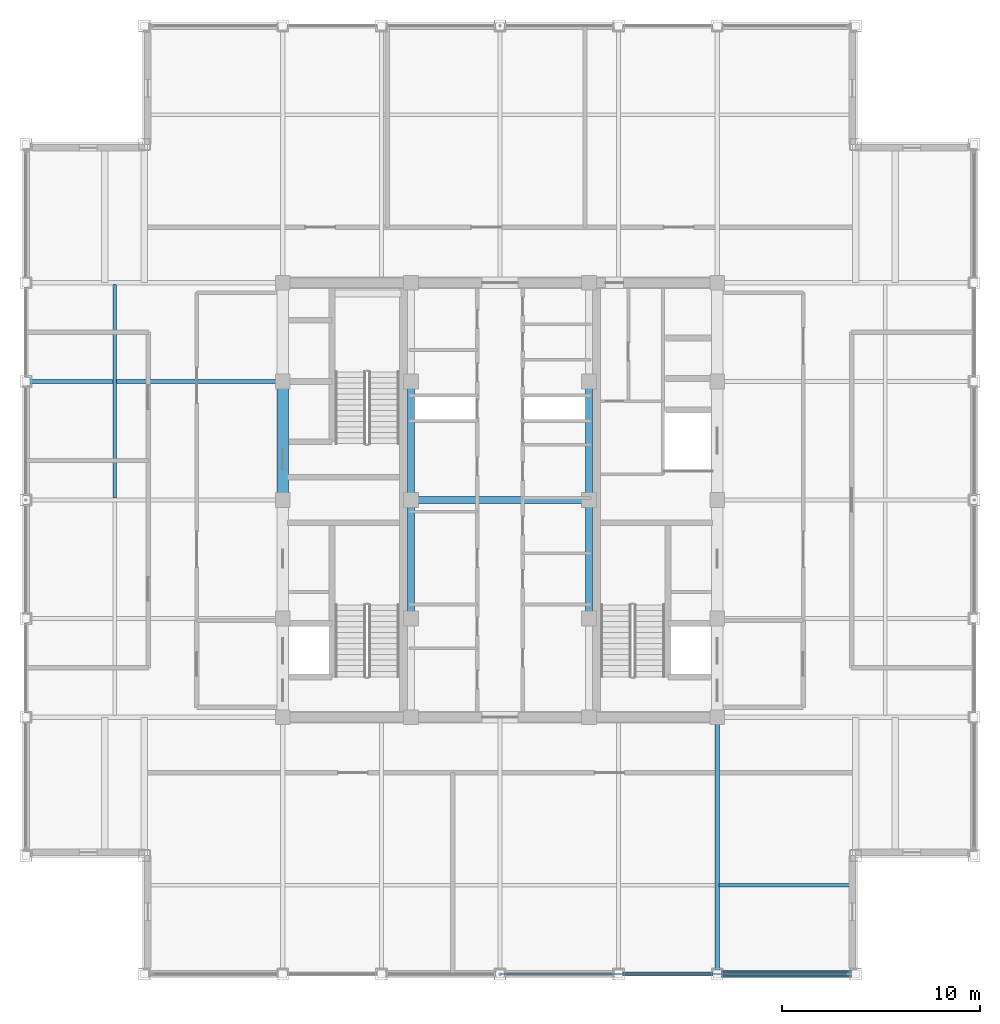
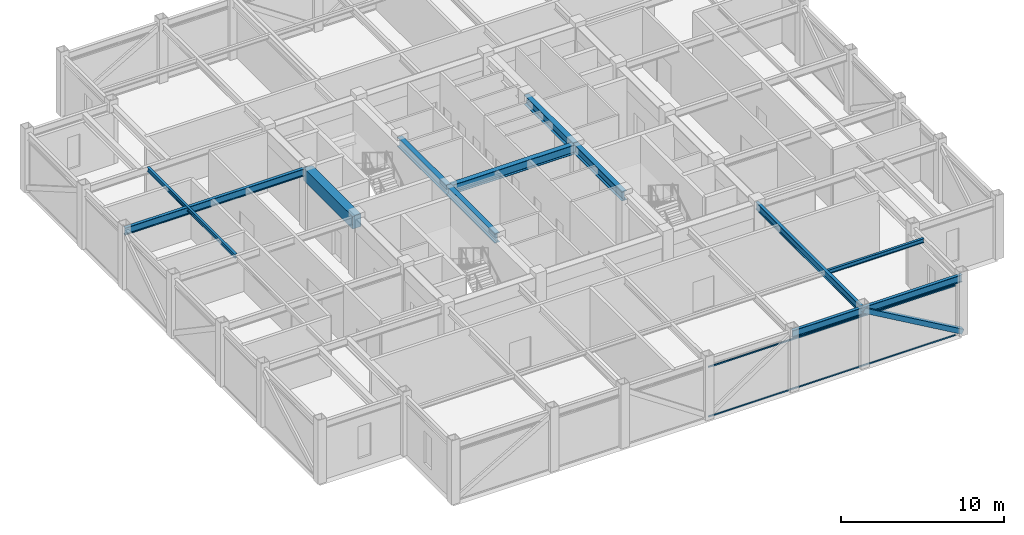
# One storey, part 7 of 27: 12 beams, 3 members, 1 element without a shape of its own.
"""IFC4 building model written with IfcOpenShell, lengths in metres."""

from ifc_helpers import new_model, si_unit, direction, frame, origin, origin_2d, place, context, subcontext, project, spatial, rectangle, hollow_rectangle, i_section, extrude, source, transform, mapped, material, material_profile, profile_set, type_object, element, aggregate, save


model = new_model("IFC4")

# Units and contexts
model_context = context("Model", 3, precision=1e-05, world=origin(), true_north=direction((0.0, 1.0)))
body_context = subcontext(model_context, "Body", "Model", "MODEL_VIEW")
ifc_project = project(units=[si_unit("LENGTHUNIT", "METRE"), si_unit("AREAUNIT", "SQUARE_METRE"), si_unit("VOLUMEUNIT", "CUBIC_METRE"), si_unit("PLANEANGLEUNIT", "RADIAN"), si_unit("MASSUNIT", "GRAM", prefix="KILO")], contexts=[model_context])

# Site, building, storey
site_placement = place(None, origin())
site = spatial("IfcSite", under=ifc_project, at=site_placement, CompositionType="ELEMENT")
building_placement = place(site_placement, origin())
building = spatial("IfcBuilding", under=site, at=building_placement, Name="Khorayat Bourse Tower", CompositionType="ELEMENT")
storey_placement = place(building_placement, frame((0.0, 0.0, 385.10009765625)))
storey = spatial("IfcBuildingStorey", under=building, at=storey_placement, Name="L91", CompositionType="ELEMENT", Elevation=385.10009765625)

# Beams
ifc_material_1 = material(Name="Steel ASTM A992 Grade 50", Category="steel")
ifc_material_profile_1 = material_profile(ifc_material_1, i_section(OverallWidth=0.35498046875, OverallDepth=0.695068359375, WebThickness=0.015380859375, FlangeThickness=0.02490234375, FilletRadius=0.01806640625, at=origin_2d()), Name="W690X217")
ifc_profile_set_1 = profile_set([ifc_material_profile_1], Name="Steel ASTM A992 Grade 50")
beam_type_1 = type_object("IfcBeamType", Name="BM-GIRD-690", PredefinedType="BEAM", material=ifc_profile_set_1)
shared_shape_1 = source(origin(), body_context, "Body", "SweptSolid", [
    extrude(i_section(OverallWidth=0.35498046875, OverallDepth=0.695068359375, WebThickness=0.015380859375, FlangeThickness=0.02490234375, FilletRadius=0.01806640625, at=origin_2d()), origin(), (0.0, 0.0, 1.0), 6.0),
])
for number, where, z_axis, x_axis, name in (
    (1, (-4.5, -6.0, 4.102294921875), (0.0, 1.0, 0.0), (-1.0, 0.0, 0.0), "L91 BM-GIRD-690 BM-L91-CRX-06"),
    (2, (-4.5, 0.0, 4.102294921875), (0.0, 1.0, 0.0), (-1.0, 0.0, 0.0), "L91 BM-GIRD-690 BM-L91-CRX-07"),
    (3, (4.5, -6.0, 4.102294921875), (0.0, 1.0, 0.0), (-1.0, 0.0, 0.0), "L91 BM-GIRD-690 BM-L91-CRX-10"),
    (4, (4.5, 0.0, 4.102294921875), (0.0, 1.0, 0.0), (-1.0, 0.0, 0.0), "L91 BM-GIRD-690 BM-L91-CRX-11"),
):
    element("IfcBeam", number, at=place(storey_placement, frame(where, z_axis=z_axis, x_axis=x_axis)), inside=storey, type_object=beam_type_1, Name=name, PredefinedType="BEAM", context=body_context, shape_type="MappedRepresentation", body=[
        mapped(shared_shape_1, transform((0.0, 0.0, 0.0), scale=1.0)),
    ])
shared_shape_2 = source(origin(), body_context, "Body", "SweptSolid", [
    extrude(i_section(OverallWidth=0.35498046875, OverallDepth=0.695068359375, WebThickness=0.015380859375, FlangeThickness=0.02490234375, FilletRadius=0.01806640625, at=origin_2d()), origin(), (0.0, 0.0, 1.0), 9.0),
])
beam_1_placement = place(storey_placement, frame((-4.5, 0.0, 4.102294921875), z_axis=(1.0, 0.0, 0.0), x_axis=(0.0, 1.0, 0.0)))
element("IfcBeam", 5, at=beam_1_placement, inside=storey, type_object=beam_type_1, Name="L91 BM-GIRD-690 BM-L91-CRY-23", PredefinedType="BEAM", context=body_context, shape_type="MappedRepresentation", body=[
    mapped(shared_shape_2, transform((0.0, 0.0, 0.0), scale=1.0)),
])
ifc_material_2 = material(Name="Concrete C60/75", Category="concrete")
ifc_material_profile_2 = material_profile(ifc_material_2, rectangle(XDim=0.60009765625, YDim=0.949951171875, at=origin_2d()), Name="RC 600x950")
ifc_profile_set_2 = profile_set([ifc_material_profile_2], Name="Concrete C60/75")
beam_type_2 = type_object("IfcBeamType", Name="BM-COUP-950", PredefinedType="BEAM", material=ifc_profile_set_2)
shared_shape_3 = source(origin(), body_context, "Body", "SweptSolid", [
    extrude(rectangle(XDim=0.60009765625, YDim=0.949951171875, at=origin_2d()), origin(), (0.0, 0.0, 1.0), 6.0),
])
beam_2_placement = place(storey_placement, frame((-11.0, 0.0, 3.974853515625), z_axis=(0.0, 1.0, 0.0), x_axis=(-1.0, 0.0, 0.0)))
element("IfcBeam", 6, at=beam_2_placement, inside=storey, type_object=beam_type_2, Name="L91 BM-COUP-950 BM-L91-CRX-03", PredefinedType="BEAM", context=body_context, shape_type="MappedRepresentation", body=[
    mapped(shared_shape_3, transform((0.0, 0.0, 0.0), scale=1.0)),
])
ifc_material_profile_3 = material_profile(ifc_material_1, i_section(OverallWidth=0.214111328125, OverallDepth=0.549072265625, WebThickness=0.0146484375, FlangeThickness=0.023681640625, FilletRadius=0.013916015625, at=origin_2d()), Name="W530X138")
ifc_profile_set_3 = profile_set([ifc_material_profile_3], Name="Steel ASTM A992 Grade 50")
beam_type_3 = type_object("IfcBeamType", Name="BM-SPAN-530", PredefinedType="SPANDREL", material=ifc_profile_set_3)
shared_shape_4 = source(origin(), body_context, "Body", "SweptSolid", [
    extrude(i_section(OverallWidth=0.214111328125, OverallDepth=0.549072265625, WebThickness=0.0146484375, FlangeThickness=0.023681640625, FilletRadius=0.013916015625, at=origin_2d()), origin(), (0.0, 0.0, 1.0), 5.0),
])
beam_3_placement = place(storey_placement, frame((6.0, -24.0, 4.17529296875), z_axis=(1.0, 0.0, 0.0), x_axis=(0.0, 1.0, 0.0)))
element("IfcBeam", 7, at=beam_3_placement, inside=storey, type_object=beam_type_3, Name="L91 BM-SPAN-530 BM-L91-SPN-028", PredefinedType="SPANDREL", context=body_context, shape_type="MappedRepresentation", body=[
    mapped(shared_shape_4, transform((0.0, 0.0, 0.0), scale=1.0)),
])
shared_shape_5 = source(origin(), body_context, "Body", "SweptSolid", [
    extrude(i_section(OverallWidth=0.214111328125, OverallDepth=0.549072265625, WebThickness=0.0146484375, FlangeThickness=0.023681640625, FilletRadius=0.013916015625, at=origin_2d()), origin(), (0.0, 0.0, 1.0), 7.0),
])
beam_4_placement = place(storey_placement, frame((11.0, -24.0, 4.17529296875), z_axis=(1.0, 0.0, 0.0), x_axis=(0.0, 1.0, 0.0)))
element("IfcBeam", 8, at=beam_4_placement, inside=storey, type_object=beam_type_3, Name="L91 BM-SPAN-530 BM-L91-SPN-029", PredefinedType="SPANDREL", context=body_context, shape_type="MappedRepresentation", body=[
    mapped(shared_shape_5, transform((0.0, 0.0, 0.0), scale=1.0)),
])
ifc_material_profile_4 = material_profile(ifc_material_1, i_section(OverallWidth=0.214111328125, OverallDepth=0.549072265625, WebThickness=0.0146484375, FlangeThickness=0.023681640625, FilletRadius=0.013916015625, at=origin_2d()), Name="W530X138")
ifc_profile_set_4 = profile_set([ifc_material_profile_4], Name="Steel ASTM A992 Grade 50")
beam_type_4 = type_object("IfcBeamType", Name="BM-GIRD-530", PredefinedType="BEAM", material=ifc_profile_set_4)
shared_shape_6 = source(origin(), body_context, "Body", "SweptSolid", [
    extrude(i_section(OverallWidth=0.214111328125, OverallDepth=0.549072265625, WebThickness=0.0146484375, FlangeThickness=0.023681640625, FilletRadius=0.013916015625, at=origin_2d()), origin(), (0.0, 0.0, 1.0), 13.0),
])
for number, where, z_axis, x_axis, name in (
    (9, (11.0, -24.0, 4.17529296875), (0.0, 1.0, 0.0), (-1.0, 0.0, 0.0), "L91 BM-GIRD-530 BM-L91-RADY-065"),
    (10, (-24.0, 6.0, 4.17529296875), (1.0, 0.0, 0.0), (0.0, 1.0, 0.0), "L91 BM-GIRD-530 BM-L91-RADX-073"),
):
    element("IfcBeam", number, at=place(storey_placement, frame(where, z_axis=z_axis, x_axis=x_axis)), inside=storey, type_object=beam_type_4, Name=name, PredefinedType="BEAM", context=body_context, shape_type="MappedRepresentation", body=[
        mapped(shared_shape_6, transform((0.0, 0.0, 0.0), scale=1.0)),
    ])
ifc_material_profile_5 = material_profile(ifc_material_1, i_section(OverallWidth=0.1669921875, OverallDepth=0.31689453125, WebThickness=0.007568359375, FlangeThickness=0.01318359375, FilletRadius=0.010009765625, at=origin_2d()), Name="W310X52")
ifc_profile_set_5 = profile_set([ifc_material_profile_5], Name="Steel ASTM A992 Grade 50")
beam_type_5 = type_object("IfcBeamType", Name="BM-JOIST-310", PredefinedType="JOIST", material=ifc_profile_set_5)
shared_shape_7 = source(origin(), body_context, "Body", "SweptSolid", [
    extrude(i_section(OverallWidth=0.1669921875, OverallDepth=0.31689453125, WebThickness=0.007568359375, FlangeThickness=0.01318359375, FilletRadius=0.010009765625, at=origin_2d()), origin(), (0.0, 0.0, 1.0), 6.81005859375),
])
beam_5_placement = place(storey_placement, frame((11.094970703125, -19.5, 4.29150390625), z_axis=(1.0, 0.0, 0.0), x_axis=(0.0, 1.0, 0.0)))
element("IfcBeam", 11, at=beam_5_placement, inside=storey, type_object=beam_type_5, Name="L91 BM-JOIST-310 BM-L91-JSTX-086", PredefinedType="JOIST", context=body_context, shape_type="MappedRepresentation", body=[
    mapped(shared_shape_7, transform((0.0, 0.0, 0.0), scale=1.0)),
])
shared_shape_8 = source(origin(), body_context, "Body", "SweptSolid", [
    extrude(i_section(OverallWidth=0.1669921875, OverallDepth=0.31689453125, WebThickness=0.007568359375, FlangeThickness=0.01318359375, FilletRadius=0.010009765625, at=origin_2d()), origin(), (0.0, 0.0, 1.0), 10.81005859375),
])
beam_6_placement = place(storey_placement, frame((-19.5, 0.094970703125, 4.29150390625), z_axis=(0.0, 1.0, 0.0), x_axis=(-1.0, 0.0, 0.0)))
element("IfcBeam", 12, at=beam_6_placement, inside=storey, type_object=beam_type_5, Name="L91 BM-JOIST-310 BM-L91-JSTY-091", PredefinedType="JOIST", context=body_context, shape_type="MappedRepresentation", body=[
    mapped(shared_shape_8, transform((0.0, 0.0, 0.0), scale=1.0)),
])

# Member
ifc_material_3 = material(Name="Steel EN 10025-2 S355J2", Category="steel")
ifc_material_profile_6 = material_profile(ifc_material_3, hollow_rectangle(XDim=0.35009765625, YDim=0.35009765625, WallThickness=0.02001953125, at=origin_2d()), Name="HSS 350x350x20")
ifc_profile_set_6 = profile_set([ifc_material_profile_6], Name="Steel EN 10025-2 S355J2")
member_type_1 = type_object("IfcMemberType", Name="MBR-CROWN-350", PredefinedType="USERDEFINED", material=ifc_profile_set_6)
shared_shape_9 = source(origin(), body_context, "Body", "SweptSolid", [
    extrude(hollow_rectangle(XDim=0.35009765625, YDim=0.35009765625, WallThickness=0.02001953125, at=origin_2d()), origin(), (0.0, 0.0, 1.0), 8.087158203125),
])
member_1_placement = place(storey_placement, frame((11.0, -24.0, 4.25), z_axis=(0.865564731219, 0.0, -0.500797060763), x_axis=(0.0, 1.0, 0.0)))
element("IfcMember", 13, at=member_1_placement, inside=storey, type_object=member_type_1, Name="L91 Lantern Crown Frame Member 04", ObjectType="CROWN FRAME", PredefinedType="USERDEFINED", context=body_context, shape_type="MappedRepresentation", body=[
    mapped(shared_shape_9, transform((0.0, 0.0, 0.0), scale=1.0)),
])

# Curtain wall, members
ifc_material_4 = material(Name="Aluminium EN AW-6063 T6", Category="aluminium")
curtain_wall_type = type_object("IfcCurtainWallType", Name="CW-SYS-07", PredefinedType="NOTDEFINED", material=ifc_material_4)
curtain_wall_placement = place(storey_placement, origin())
curtain_wall = element("IfcCurtainWall", 14, at=curtain_wall_placement, inside=storey, type_object=curtain_wall_type, Name="L91 Curtain Wall CW-L91-S1", PredefinedType="NOTDEFINED")
ifc_material_profile_7 = material_profile(ifc_material_4, hollow_rectangle(XDim=0.090087890625, YDim=0.090087890625, WallThickness=0.00390625, at=origin_2d()), Name="ALU 90x90x4")
ifc_profile_set_7 = profile_set([ifc_material_profile_7], Name="Aluminium EN AW-6063 T6")
member_type_2 = type_object("IfcMemberType", Name="CWT-HORZ-90", PredefinedType="USERDEFINED", material=ifc_profile_set_7)
shared_shape_10 = source(origin(), body_context, "Body", "SweptSolid", [
    extrude(hollow_rectangle(XDim=0.090087890625, YDim=0.090087890625, WallThickness=0.00390625, at=origin_2d()), origin(), (0.0, 0.0, 1.0), 17.5),
])
member_2_placement = place(storey_placement, frame((0.050048828125, -24.0, 0.044921875), z_axis=(1.0, 0.0, 0.0), x_axis=(0.0, 1.0, 0.0)))
member_2 = element("IfcMember", 15, at=member_2_placement, type_object=member_type_2, Name="CW-L91-S1 Horizontal Transom 2-1", ObjectType="TRANSOM", PredefinedType="USERDEFINED", context=body_context, shape_type="MappedRepresentation", body=[
    mapped(shared_shape_10, transform((0.0, 0.0, 0.0), scale=1.0)),
])
member_3_placement = place(storey_placement, frame((0.050048828125, -24.0, 3.7548828125), z_axis=(1.0, 0.0, 0.0), x_axis=(0.0, 1.0, 0.0)))
member_3 = element("IfcMember", 16, at=member_3_placement, type_object=member_type_2, Name="CW-L91-S1 Horizontal Transom 2-2", ObjectType="TRANSOM", PredefinedType="USERDEFINED", context=body_context, shape_type="MappedRepresentation", body=[
    mapped(shared_shape_10, transform((0.0, 0.0, 0.0), scale=1.0)),
])
aggregate(curtain_wall, [member_2, member_3])

save(model, "model.ifc")
